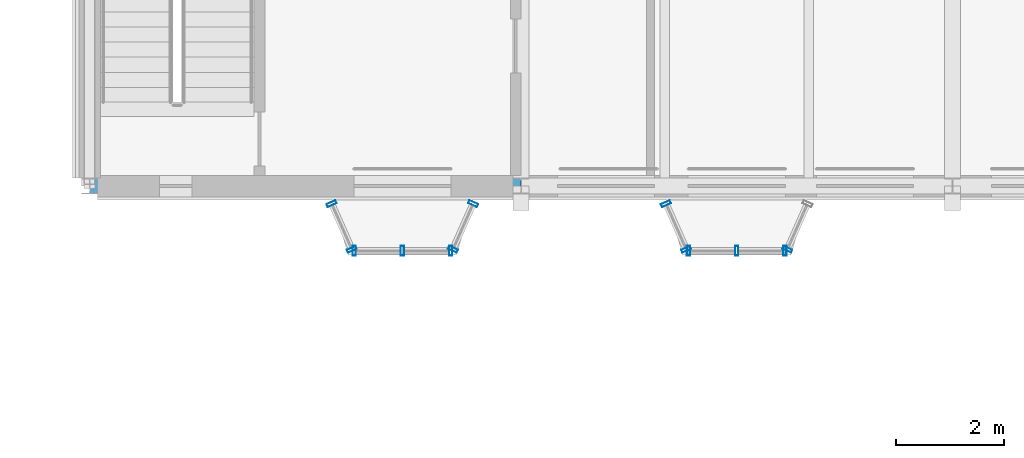
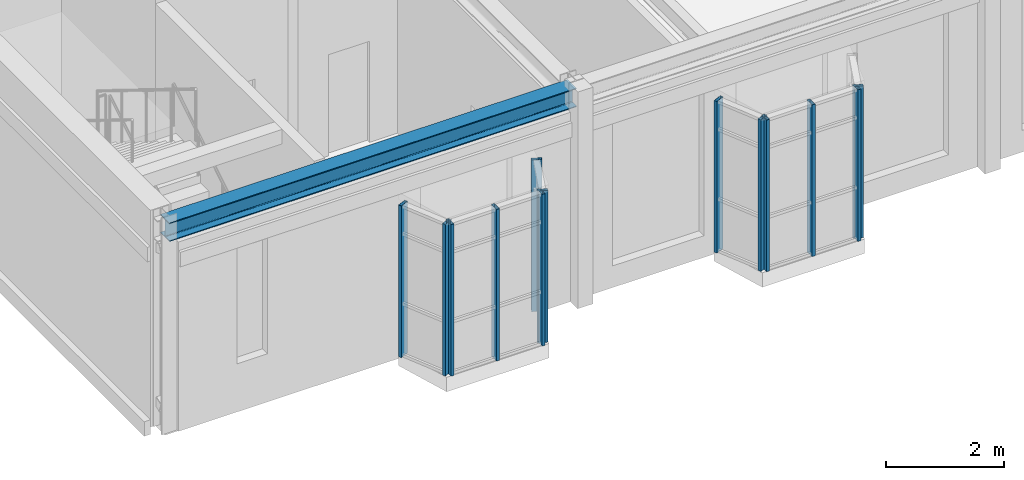
# One storey, part 44 of 153: 13 members, 1 beam, 6 elements without a shape of their own.
"""IFC4 building model written with IfcOpenShell, lengths in metres."""

from ifc_helpers import new_model, si_unit, direction, frame, origin, origin_2d, place, context, subcontext, project, spatial, hollow_rectangle, i_section, extrude, material, material_profile, profile_set, type_object, element, aggregate, save


model = new_model("IFC4")

# Units and contexts
model_context = context("Model", 3, precision=1e-05, world=origin(), true_north=direction((0.0, 1.0)))
body_context = subcontext(model_context, "Body", "Model", "MODEL_VIEW")
ifc_project = project(units=[si_unit("LENGTHUNIT", "METRE"), si_unit("AREAUNIT", "SQUARE_METRE"), si_unit("VOLUMEUNIT", "CUBIC_METRE"), si_unit("PLANEANGLEUNIT", "RADIAN"), si_unit("MASSUNIT", "GRAM", prefix="KILO")], contexts=[model_context])

# Site, building, storey
site_placement = place(None, origin())
site = spatial("IfcSite", under=ifc_project, at=site_placement, CompositionType="ELEMENT")
building_placement = place(site_placement, origin())
building = spatial("IfcBuilding", under=site, at=building_placement, Name="Kallimachos Central Library", CompositionType="ELEMENT")
storey_placement = place(building_placement, frame((0.0, 0.0, 5.39990234375)))
storey = spatial("IfcBuildingStorey", under=building, at=storey_placement, Name="L01", CompositionType="ELEMENT", Elevation=5.39990234375)

# Curtain wall, members
ifc_material_1 = material(Name="Laminated glass in anodised aluminium", Category="aluminium")
curtain_wall_type = type_object("IfcCurtainWallType", Name="Foyer curtain wall", PredefinedType="NOTDEFINED", material=ifc_material_1)
curtain_wall_1_placement = place(storey_placement, origin())
curtain_wall_1 = element("IfcCurtainWall", 1, at=curtain_wall_1_placement, inside=storey, type_object=curtain_wall_type, Name="Tribune bay return west", PredefinedType="NOTDEFINED")
ifc_material_2 = material(Name="Anodised aluminium", Category="aluminium")
ifc_material_profile_1 = material_profile(ifc_material_2, hollow_rectangle(XDim=0.06005859375, YDim=0.179931640625, WallThickness=0.00390625, at=origin_2d()), Name="ALU MULLION 60x180")
ifc_profile_set_1 = profile_set([ifc_material_profile_1], Name="Anodised aluminium")
member_type = type_object("IfcMemberType", Name="ALU MULLION 60x180 mullion", PredefinedType="MULLION", material=ifc_profile_set_1)
member_1_placement = place(storey_placement, frame((10.4873046875, 86.672607421875, 0.150146484375), z_axis=(0.0, 0.0, 1.0), x_axis=(0.40613846606, -0.913811548617, 0.0)))
member_1 = element("IfcMember", 2, at=member_1_placement, type_object=member_type, Name="CW mullion 1", PredefinedType="MULLION", context=body_context, shape_type="SweptSolid", body=[
    extrude(hollow_rectangle(XDim=0.06005859375, YDim=0.179931640625, WallThickness=0.00390625, at=origin_2d()), origin(), (0.0, 0.0, 1.0), 3.14990234375),
])
member_2_placement = place(storey_placement, frame((10.86279296875, 85.827392578125, 0.150146484375), z_axis=(0.0, 0.0, 1.0), x_axis=(0.40613846606, -0.913811548617, 0.0)))
member_2 = element("IfcMember", 3, at=member_2_placement, type_object=member_type, Name="CW mullion 2", PredefinedType="MULLION", context=body_context, shape_type="SweptSolid", body=[
    extrude(hollow_rectangle(XDim=0.06005859375, YDim=0.179931640625, WallThickness=0.00390625, at=origin_2d()), origin(), (0.0, 0.0, 1.0), 3.14990234375),
])
aggregate(curtain_wall_1, [member_1, member_2])

curtain_wall_2_placement = place(storey_placement, origin())
curtain_wall_2 = element("IfcCurtainWall", 4, at=curtain_wall_2_placement, inside=storey, type_object=curtain_wall_type, Name="Tribune bay front", PredefinedType="NOTDEFINED")
member_3_placement = place(storey_placement, frame((10.905029296875, 85.800048828125, 0.150146484375), z_axis=(0.0, 0.0, 1.0), x_axis=(1.0, 0.0, 0.0)))
member_3 = element("IfcMember", 5, at=member_3_placement, type_object=member_type, Name="CW mullion 1", PredefinedType="MULLION", context=body_context, shape_type="SweptSolid", body=[
    extrude(hollow_rectangle(XDim=0.06005859375, YDim=0.179931640625, WallThickness=0.00390625, at=origin_2d()), origin(), (0.0, 0.0, 1.0), 3.14990234375),
])
member_4_placement = place(storey_placement, frame((11.800048828125, 85.800048828125, 0.150146484375), z_axis=(0.0, 0.0, 1.0), x_axis=(1.0, 0.0, 0.0)))
member_4 = element("IfcMember", 6, at=member_4_placement, type_object=member_type, Name="CW mullion 2", PredefinedType="MULLION", context=body_context, shape_type="SweptSolid", body=[
    extrude(hollow_rectangle(XDim=0.06005859375, YDim=0.179931640625, WallThickness=0.00390625, at=origin_2d()), origin(), (0.0, 0.0, 1.0), 3.14990234375),
])
member_5_placement = place(storey_placement, frame((12.695068359375, 85.800048828125, 0.150146484375), z_axis=(0.0, 0.0, 1.0), x_axis=(1.0, 0.0, 0.0)))
member_5 = element("IfcMember", 7, at=member_5_placement, type_object=member_type, Name="CW mullion 3", PredefinedType="MULLION", context=body_context, shape_type="SweptSolid", body=[
    extrude(hollow_rectangle(XDim=0.06005859375, YDim=0.179931640625, WallThickness=0.00390625, at=origin_2d()), origin(), (0.0, 0.0, 1.0), 3.14990234375),
])
aggregate(curtain_wall_2, [member_3, member_4, member_5])

curtain_wall_3_placement = place(storey_placement, origin())
curtain_wall_3 = element("IfcCurtainWall", 8, at=curtain_wall_3_placement, inside=storey, type_object=curtain_wall_type, Name="Tribune bay return east", PredefinedType="NOTDEFINED")
member_6_placement = place(storey_placement, frame((12.7373046875, 85.827392578125, 0.150146484375), z_axis=(0.0, 0.0, 1.0), x_axis=(0.40613846606, 0.913811548617, 0.0)))
member_6 = element("IfcMember", 9, at=member_6_placement, type_object=member_type, Name="CW mullion 1", PredefinedType="MULLION", context=body_context, shape_type="SweptSolid", body=[
    extrude(hollow_rectangle(XDim=0.06005859375, YDim=0.179931640625, WallThickness=0.00390625, at=origin_2d()), origin(), (0.0, 0.0, 1.0), 3.14990234375),
])
member_7_placement = place(storey_placement, frame((13.11279296875, 86.672607421875, 0.150146484375), z_axis=(0.0, 0.0, 1.0), x_axis=(0.40613846606, 0.913811548617, 0.0)))
member_7 = element("IfcMember", 10, at=member_7_placement, type_object=member_type, Name="CW mullion 2", PredefinedType="MULLION", context=body_context, shape_type="SweptSolid", body=[
    extrude(hollow_rectangle(XDim=0.06005859375, YDim=0.179931640625, WallThickness=0.00390625, at=origin_2d()), origin(), (0.0, 0.0, 1.0), 3.14990234375),
])
aggregate(curtain_wall_3, [member_6, member_7])

curtain_wall_4_placement = place(storey_placement, origin())
curtain_wall_4 = element("IfcCurtainWall", 11, at=curtain_wall_4_placement, inside=storey, type_object=curtain_wall_type, Name="Tribune bay return west", PredefinedType="NOTDEFINED")
member_8_placement = place(storey_placement, frame((16.687255859375, 86.672607421875, 0.150146484375), z_axis=(0.0, 0.0, 1.0), x_axis=(0.40613846606, -0.913811548617, 0.0)))
member_8 = element("IfcMember", 12, at=member_8_placement, type_object=member_type, Name="CW mullion 1", PredefinedType="MULLION", context=body_context, shape_type="SweptSolid", body=[
    extrude(hollow_rectangle(XDim=0.06005859375, YDim=0.179931640625, WallThickness=0.00390625, at=origin_2d()), origin(), (0.0, 0.0, 1.0), 3.14990234375),
])
member_9_placement = place(storey_placement, frame((17.062744140625, 85.827392578125, 0.150146484375), z_axis=(0.0, 0.0, 1.0), x_axis=(0.40613846606, -0.913811548617, 0.0)))
member_9 = element("IfcMember", 13, at=member_9_placement, type_object=member_type, Name="CW mullion 2", PredefinedType="MULLION", context=body_context, shape_type="SweptSolid", body=[
    extrude(hollow_rectangle(XDim=0.06005859375, YDim=0.179931640625, WallThickness=0.00390625, at=origin_2d()), origin(), (0.0, 0.0, 1.0), 3.14990234375),
])
aggregate(curtain_wall_4, [member_8, member_9])

curtain_wall_5_placement = place(storey_placement, origin())
curtain_wall_5 = element("IfcCurtainWall", 14, at=curtain_wall_5_placement, inside=storey, type_object=curtain_wall_type, Name="Tribune bay front", PredefinedType="NOTDEFINED")
member_10_placement = place(storey_placement, frame((17.10498046875, 85.800048828125, 0.150146484375), z_axis=(0.0, 0.0, 1.0), x_axis=(1.0, 0.0, 0.0)))
member_10 = element("IfcMember", 15, at=member_10_placement, type_object=member_type, Name="CW mullion 1", PredefinedType="MULLION", context=body_context, shape_type="SweptSolid", body=[
    extrude(hollow_rectangle(XDim=0.06005859375, YDim=0.179931640625, WallThickness=0.00390625, at=origin_2d()), origin(), (0.0, 0.0, 1.0), 3.14990234375),
])
member_11_placement = place(storey_placement, frame((18.0, 85.800048828125, 0.150146484375), z_axis=(0.0, 0.0, 1.0), x_axis=(1.0, 0.0, 0.0)))
member_11 = element("IfcMember", 16, at=member_11_placement, type_object=member_type, Name="CW mullion 2", PredefinedType="MULLION", context=body_context, shape_type="SweptSolid", body=[
    extrude(hollow_rectangle(XDim=0.06005859375, YDim=0.179931640625, WallThickness=0.00390625, at=origin_2d()), origin(), (0.0, 0.0, 1.0), 3.14990234375),
])
member_12_placement = place(storey_placement, frame((18.89501953125, 85.800048828125, 0.150146484375), z_axis=(0.0, 0.0, 1.0), x_axis=(1.0, 0.0, 0.0)))
member_12 = element("IfcMember", 17, at=member_12_placement, type_object=member_type, Name="CW mullion 3", PredefinedType="MULLION", context=body_context, shape_type="SweptSolid", body=[
    extrude(hollow_rectangle(XDim=0.06005859375, YDim=0.179931640625, WallThickness=0.00390625, at=origin_2d()), origin(), (0.0, 0.0, 1.0), 3.14990234375),
])
aggregate(curtain_wall_5, [member_10, member_11, member_12])

# Curtain wall, member
curtain_wall_6_placement = place(storey_placement, origin())
curtain_wall_6 = element("IfcCurtainWall", 18, at=curtain_wall_6_placement, inside=storey, type_object=curtain_wall_type, Name="Tribune bay return east", PredefinedType="NOTDEFINED")
member_13_placement = place(storey_placement, frame((18.937255859375, 85.827392578125, 0.150146484375), z_axis=(0.0, 0.0, 1.0), x_axis=(0.40613846606, 0.913811548617, 0.0)))
member_13 = element("IfcMember", 19, at=member_13_placement, type_object=member_type, Name="CW mullion 1", PredefinedType="MULLION", context=body_context, shape_type="SweptSolid", body=[
    extrude(hollow_rectangle(XDim=0.06005859375, YDim=0.179931640625, WallThickness=0.00390625, at=origin_2d()), origin(), (0.0, 0.0, 1.0), 3.14990234375),
])
aggregate(curtain_wall_6, [member_13])

# Beam
ifc_material_3 = material(Name="Steel S355J2", Category="steel")
ifc_material_profile_2 = material_profile(ifc_material_3, i_section(OverallWidth=0.300048828125, OverallDepth=0.389892578125, WebThickness=0.010986328125, FlangeThickness=0.01904296875, FilletRadius=0.027099609375, at=origin_2d()), Name="HEA 400")
ifc_profile_set_2 = profile_set([ifc_material_profile_2], Name="Steel S355J2")
beam_type = type_object("IfcBeamType", Name="HEA 400 beam", PredefinedType="BEAM", material=ifc_profile_set_2)
beam_placement = place(storey_placement, frame((6.0, 87.0, 4.155029296875), z_axis=(1.0, 0.0, 0.0), x_axis=(0.0, 1.0, 0.0)))
element("IfcBeam", 20, at=beam_placement, inside=storey, type_object=beam_type, Name="V2-BEM-L01-016", PredefinedType="BEAM", context=body_context, shape_type="SweptSolid", body=[
    extrude(i_section(OverallWidth=0.300048828125, OverallDepth=0.389892578125, WebThickness=0.010986328125, FlangeThickness=0.01904296875, FilletRadius=0.027099609375, at=origin_2d()), origin(), (0.0, 0.0, 1.0), 8.0),
])

save(model, "model.ifc")
